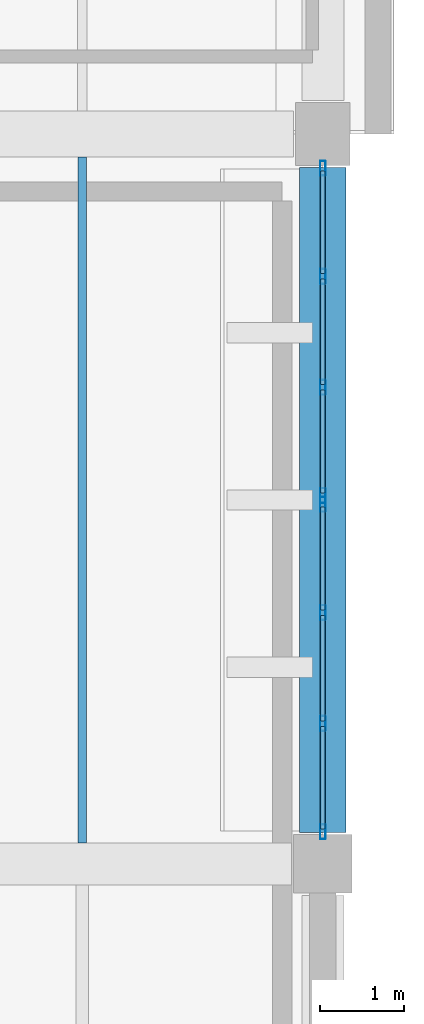
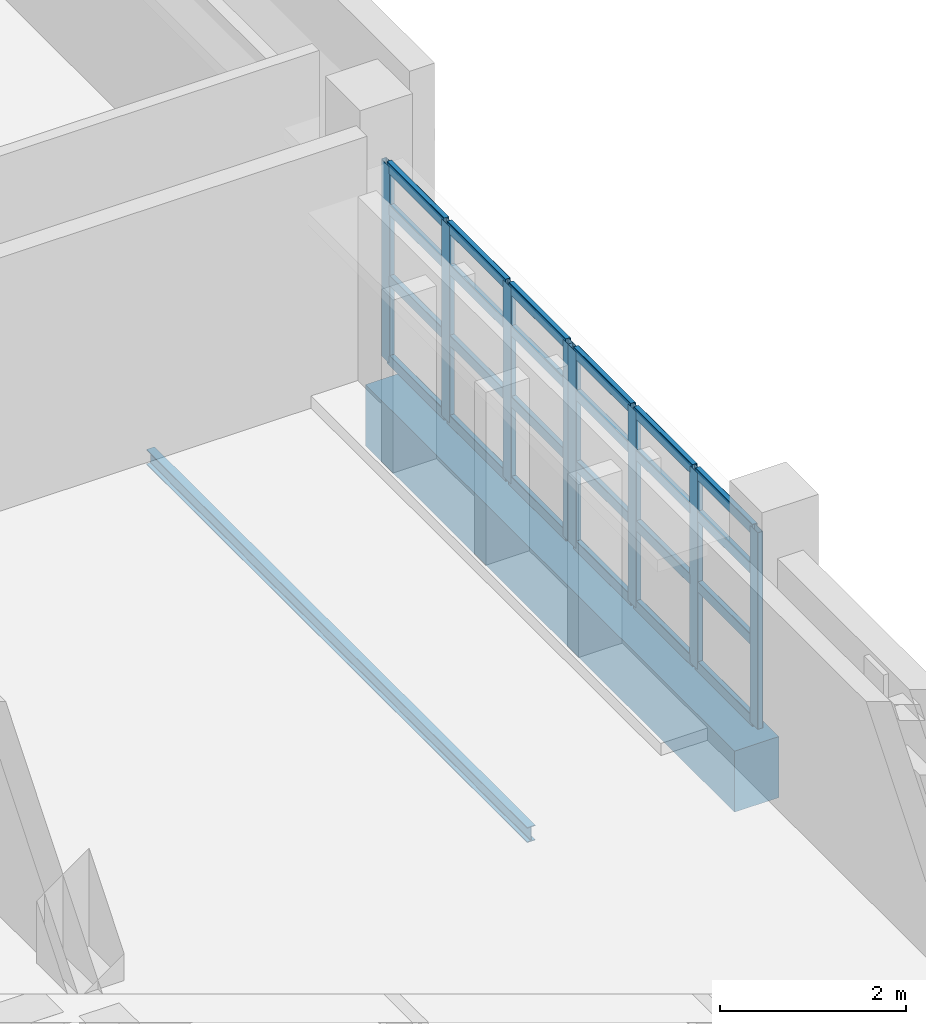
# One storey, part 42 of 75: 32 members, 2 beams, 2 elements without a shape of their own.
"""IFC4 building model written with IfcOpenShell, lengths in metres."""

import ifcopenshell
import ifcopenshell.guid

model = None  # the IFC model being written
_history = None  # IfcOwnerHistory: only IFC2X3 demands one
_inside = {}  # id of a spatial element -> (the spatial element, [elements in it])
_under = {}  # id of a project, library or spatial element -> (it, [spatial elements below it])
_declared = {}  # id of a project -> (the project, [libraries it declares])
_typed = {}  # id of a type object -> (the type object, [elements of that type])
_made_of = {}  # id of a material, layer set ... -> (it, [elements and type objects made of it])


def new_model(schema):
    """Start an empty IFC model of exactly this schema.

    Asked for "IFC4X3", IfcOpenShell would pick the latest addendum, in which some entities
    have other attributes; the version numbers below select the first issue.
    IFC2X3 requires an IfcOwnerHistory on every rooted entity: one is made here for all.
    """
    global model, _history
    if schema == "IFC4X3":
        model = ifcopenshell.file(schema_version=(4, 3, 0, 0))
    else:
        model = ifcopenshell.file(schema=schema)
    _inside.clear()
    _under.clear()
    _declared.clear()
    _typed.clear()
    _made_of.clear()
    _history = None
    if model.schema == "IFC2X3":
        org = make("IfcOrganization", Name="unknown")
        user = make(
            "IfcPersonAndOrganization",
            ThePerson=make("IfcPerson", FamilyName="unknown"),
            TheOrganization=org,
        )
        app = make(
            "IfcApplication",
            ApplicationDeveloper=org,
            Version="unknown",
            ApplicationFullName="unknown",
            ApplicationIdentifier="unknown",
        )
        _history = make(
            "IfcOwnerHistory",
            OwningUser=user,
            OwningApplication=app,
            ChangeAction="ADDED",
            CreationDate=0,
        )
    return model


def make(cls, **values):
    """One entity of the class cls with the attributes given. An attribute that is None is left unset."""
    return model.create_entity(
        cls, **{name: value for name, value in values.items() if value is not None}
    )


def rooted(cls, **values):
    """An entity with a GlobalId (a new one), such as an element, a storey or a relation."""
    return make(cls, GlobalId=ifcopenshell.guid.new(), OwnerHistory=_history, **values)


def si_unit(unit_type, name, prefix=None):
    """IfcSIUnit, for example si_unit("LENGTHUNIT", "METRE", prefix="MILLI")."""
    return make("IfcSIUnit", UnitType=unit_type, Prefix=prefix, Name=name)


def assignment(units):
    """IfcUnitAssignment: the units of a project."""
    return None if units is None else make("IfcUnitAssignment", Units=units)


def point(xyz):
    """IfcCartesianPoint."""
    return None if xyz is None else make("IfcCartesianPoint", Coordinates=xyz)


def direction(xyz):
    """IfcDirection."""
    return None if xyz is None else make("IfcDirection", DirectionRatios=xyz)


def frame(location, z_axis=None, x_axis=None):
    """IfcAxis2Placement3D, a coordinate frame: its origin and axes. An axis left out is left unset."""
    return make(
        "IfcAxis2Placement3D",
        Location=point(location),
        Axis=direction(z_axis),
        RefDirection=direction(x_axis),
    )


def frame_2d(location, x_axis=None):
    """IfcAxis2Placement2D, a coordinate frame in the plane: its origin and x axis."""
    return make(
        "IfcAxis2Placement2D", Location=point(location), RefDirection=direction(x_axis)
    )


def origin():
    """The frame at (0, 0, 0) with its axes left unset."""
    return frame((0.0, 0.0, 0.0))


def origin_2d():
    """The frame at (0, 0) in the plane with its x axis left unset."""
    return frame_2d((0.0, 0.0))


def place(relative_to, where):
    """IfcLocalPlacement: puts the frame where relative to a parent placement (None: the world)."""
    return make(
        "IfcLocalPlacement", PlacementRelTo=relative_to, RelativePlacement=where
    )


def context(
    kind, dimensions, precision=None, world=None, true_north=None, identifier=None
):
    """IfcGeometricRepresentationContext, for example the 3D "Model" context."""
    return make(
        "IfcGeometricRepresentationContext",
        ContextIdentifier=identifier,
        ContextType=kind,
        CoordinateSpaceDimension=dimensions,
        Precision=precision,
        WorldCoordinateSystem=world,
        TrueNorth=true_north,
    )


def subcontext(parent, identifier, kind, view, scale=None):
    """IfcGeometricRepresentationSubContext, for example "Body" below "Model"."""
    return make(
        "IfcGeometricRepresentationSubContext",
        ContextIdentifier=identifier,
        ContextType=kind,
        ParentContext=parent,
        TargetScale=scale,
        TargetView=view,
    )


def project(units=None, contexts=None):
    """IfcProject with its units and contexts."""
    return rooted(
        "IfcProject",
        Name="project",
        RepresentationContexts=contexts,
        UnitsInContext=assignment(units),
    )


def spatial(cls, under=None, at=None, **own):
    """A site, building, storey or space (cls), placed at a placement, below another one or the project."""
    s = rooted(cls, ObjectPlacement=at, **own)
    if under is not None:
        _under.setdefault(under.id(), (under, []))[1].append(s)
    return s


def profile(cls, at=None, kind="AREA", **sizes):
    """A parametric profile (cls). Its sizes go by their IFC names, for example OverallWidth=200.0."""
    return make(cls, ProfileType=kind, Position=at, **sizes)


def rectangle(**sizes):
    """IfcRectangleProfileDef."""
    return profile("IfcRectangleProfileDef", **sizes)


def hollow_rectangle(**sizes):
    """IfcRectangleHollowProfileDef."""
    return profile("IfcRectangleHollowProfileDef", **sizes)


def i_section(**sizes):
    """IfcIShapeProfileDef."""
    return profile("IfcIShapeProfileDef", **sizes)


def extrude(swept, where, along, depth):
    """IfcExtrudedAreaSolid: the profile swept, set in the frame where, extruded along a direction by depth."""
    return make(
        "IfcExtrudedAreaSolid",
        SweptArea=swept,
        Position=where,
        ExtrudedDirection=direction(along),
        Depth=depth,
    )


def shape(context_of_items, identifier, shape_type, items):
    """IfcShapeRepresentation: the items that make up one representation, for example the "Body"."""
    return make(
        "IfcShapeRepresentation",
        ContextOfItems=context_of_items,
        RepresentationIdentifier=identifier,
        RepresentationType=shape_type,
        Items=items,
    )


def material(Name=None, Category=None):
    """IfcMaterial."""
    return make("IfcMaterial", Name=Name, Category=Category)


def material_profile(
    of_material, cross_section, Name=None, Category=None, Priority=None
):
    """IfcMaterialProfile: a cross section and its material."""
    return make(
        "IfcMaterialProfile",
        Name=Name,
        Material=of_material,
        Profile=cross_section,
        Priority=Priority,
        Category=Category,
    )


def profile_set(profiles, Name=None, composite=None):
    """IfcMaterialProfileSet."""
    return make(
        "IfcMaterialProfileSet",
        Name=Name,
        MaterialProfiles=profiles,
        CompositeProfile=composite,
    )


def made_of(thing, what):
    """Note that an element or type object is made of a material, layer set ...; save() writes the relation."""
    if what is not None:
        _made_of.setdefault(what.id(), (what, []))[1].append(thing)
    return thing


def type_object(cls, material=None, **own):
    """A type object (cls), such as IfcWallType, which elements share."""
    return made_of(rooted(cls, **own), material)


def element(
    cls,
    number,
    at=None,
    inside=None,
    cuts=None,
    type_object=None,
    material=None,
    context=None,
    identifier="Body",
    shape_type=None,
    held_by="IfcProductDefinitionShape",
    body=None,
    shapes=None,
    **own,
):
    """One element of the class cls, such as IfcWall. Its Tag is "e" and its number.

    at: its placement. inside: the storey or other place that contains it. cuts: it is an
    opening in that element (IfcRelVoidsElement). A single representation is given by context,
    identifier, shape_type and body (its items); several are given by shapes. held_by: the class
    of the entity that holds the representations. save() writes the other relations.
    """
    e = rooted(cls, Tag="e%d" % number, ObjectPlacement=at, **own)
    if body is not None:
        shapes = [shape(context, identifier, shape_type, body)]
    if shapes is not None:
        e.Representation = make(held_by, Representations=shapes)
    if inside is not None:
        _inside.setdefault(inside.id(), (inside, []))[1].append(e)
    if cuts is not None:
        rooted(
            "IfcRelVoidsElement", RelatingBuildingElement=cuts, RelatedOpeningElement=e
        )
    if type_object is not None:
        _typed.setdefault(type_object.id(), (type_object, []))[1].append(e)
    return made_of(e, material)


def aggregate(whole, parts):
    """IfcRelAggregates: a whole, such as a stair, and the parts it consists of."""
    return rooted("IfcRelAggregates", RelatingObject=whole, RelatedObjects=parts)


def save(model, path):
    """Write the relations noted so far, then the file.

    IfcRelAggregates (storeys below a building ...), IfcRelContainedInSpatialStructure (elements
    in a storey), IfcRelDefinesByType, IfcRelAssociatesMaterial and IfcRelDeclares: one each for
    every whole, place, type object, material and project.
    """
    for whole, parts in _under.values():
        aggregate(whole, parts)
    for where, things in _inside.values():
        rooted(
            "IfcRelContainedInSpatialStructure",
            RelatedElements=things,
            RelatingStructure=where,
        )
    for kind, things in _typed.values():
        rooted("IfcRelDefinesByType", RelatedObjects=things, RelatingType=kind)
    for what, things in _made_of.values():
        rooted("IfcRelAssociatesMaterial", RelatedObjects=things, RelatingMaterial=what)
    for by, libraries in _declared.values():
        rooted("IfcRelDeclares", RelatingContext=by, RelatedDefinitions=libraries)
    model.write(path)


model = new_model("IFC4")

# Units and contexts
model_context = context("Model", 3, precision=1e-05, world=origin(), true_north=direction((0.0, 1.0)))
body_context = subcontext(model_context, "Body", "Model", "MODEL_VIEW")
ifc_project = project(units=[si_unit("LENGTHUNIT", "METRE"), si_unit("AREAUNIT", "SQUARE_METRE"), si_unit("VOLUMEUNIT", "CUBIC_METRE"), si_unit("PLANEANGLEUNIT", "RADIAN"), si_unit("MASSUNIT", "GRAM", prefix="KILO")], contexts=[model_context])

# Site, building, storey
site_placement = place(None, origin())
site = spatial("IfcSite", under=ifc_project, at=site_placement, CompositionType="ELEMENT")
building_placement = place(site_placement, origin())
building = spatial("IfcBuilding", under=site, at=building_placement, Name="Varnakota Cinema and Media Centre", CompositionType="ELEMENT")
storey_placement = place(building_placement, frame((0.0, 0.0, 8.39990234375)))
storey = spatial("IfcBuildingStorey", under=building, at=storey_placement, Name="L02", CompositionType="ELEMENT", Elevation=8.39990234375)

# Beams
ifc_material_1 = material(Name="Concrete M35", Category="concrete")
ifc_material_profile_1 = material_profile(ifc_material_1, rectangle(XDim=0.550048828125, YDim=0.800048828125, at=origin_2d()), Name="RCB 550x800")
ifc_profile_set_1 = profile_set([ifc_material_profile_1], Name="Concrete M35")
beam_type_1 = type_object("IfcBeamType", Name="BM-RC-550x800", PredefinedType="BEAM", material=ifc_profile_set_1)
beam_1_placement = place(storey_placement, frame((34.39990234375, 69.875, -0.64990234375), z_axis=(0.0, 1.0, 0.0), x_axis=(-1.0, 0.0, 0.0)))
element("IfcBeam", 1, at=beam_1_placement, inside=storey, type_object=beam_type_1, Name="L02 girder E/9-10", PredefinedType="BEAM", context=body_context, shape_type="SweptSolid", body=[
    extrude(rectangle(XDim=0.550048828125, YDim=0.800048828125, at=origin_2d()), origin(), (0.0, 0.0, 1.0), 7.925048828125),
])
ifc_material_2 = material(Name="Structural steel Grade 350 (E350)", Category="steel")
ifc_material_profile_2 = material_profile(ifc_material_2, i_section(OverallWidth=0.10009765625, OverallDepth=0.199951171875, WebThickness=0.005615234375, FlangeThickness=0.0107421875, FilletRadius=0.010986328125, at=origin_2d()), Name="ISMB 200")
ifc_profile_set_2 = profile_set([ifc_material_profile_2], Name="Structural steel Grade 350 (E350)")
beam_type_2 = type_object("IfcBeamType", Name="BM-ST-ISMB200", PredefinedType="JOIST", material=ifc_profile_set_2)
beam_2_placement = place(storey_placement, frame((31.533203125, 69.75, -0.349853515625), z_axis=(0.0, 1.0, 0.0), x_axis=(-1.0, 0.0, 0.0)))
element("IfcBeam", 2, at=beam_2_placement, inside=storey, type_object=beam_type_2, Name="L02 steel joist D-E/9-10 #2", PredefinedType="JOIST", context=body_context, shape_type="SweptSolid", body=[
    extrude(i_section(OverallWidth=0.10009765625, OverallDepth=0.199951171875, WebThickness=0.005615234375, FlangeThickness=0.0107421875, FilletRadius=0.010986328125, at=origin_2d()), origin(), (0.0, 0.0, 1.0), 8.175048828125),
])

# Curtain wall, members
ifc_material_3 = material(Name="Thermally broken anodised aluminium AW-6063", Category="aluminium")
curtain_wall_type = type_object("IfcCurtainWallType", Name="CW-STD-397x258", PredefinedType="USERDEFINED", material=ifc_material_3)
curtain_wall_1_placement = place(storey_placement, origin())
curtain_wall_1 = element("IfcCurtainWall", 3, at=curtain_wall_1_placement, inside=storey, type_object=curtain_wall_type, Name="L02 curtain wall CW-L02-V5-E-05-1", ObjectType="UNITISED CURTAIN WALL", PredefinedType="USERDEFINED")
ifc_material_4 = material(Name="Thermally broken anodised aluminium AW-6063", Category="aluminium")
ifc_material_profile_3 = material_profile(ifc_material_4, hollow_rectangle(XDim=0.06494140625, YDim=0.179931640625, WallThickness=0.00390625, InnerFilletRadius=0.00390625, OuterFilletRadius=0.008056640625, at=origin_2d()), Name="AL-MULLION 180x65x4")
ifc_profile_set_3 = profile_set([ifc_material_profile_3], Name="Thermally broken anodised aluminium AW-6063")
member_type_1 = type_object("IfcMemberType", Name="CWM-AL-180", PredefinedType="MULLION", material=ifc_profile_set_3)
member_1_placement = place(storey_placement, frame((34.39990234375, 69.882568359375, 0.0), z_axis=(0.0, 0.0, 1.0), x_axis=(-1.0, 0.0, 0.0)))
member_1 = element("IfcMember", 4, at=member_1_placement, type_object=member_type_1, Name="CW38 mullion 1", PredefinedType="MULLION", context=body_context, shape_type="SweptSolid", body=[
    extrude(hollow_rectangle(XDim=0.06494140625, YDim=0.179931640625, WallThickness=0.00390625, InnerFilletRadius=0.00390625, OuterFilletRadius=0.008056640625, at=origin_2d()), origin(), (0.0, 0.0, 1.0), 2.5751953125),
])
member_2_placement = place(storey_placement, frame((34.39990234375, 71.172607421875, 0.0), z_axis=(0.0, 0.0, 1.0), x_axis=(-1.0, 0.0, 0.0)))
member_2 = element("IfcMember", 5, at=member_2_placement, type_object=member_type_1, Name="CW38 mullion 2", PredefinedType="MULLION", context=body_context, shape_type="SweptSolid", body=[
    extrude(hollow_rectangle(XDim=0.06494140625, YDim=0.179931640625, WallThickness=0.00390625, InnerFilletRadius=0.00390625, OuterFilletRadius=0.008056640625, at=origin_2d()), origin(), (0.0, 0.0, 1.0), 2.5751953125),
])
member_3_placement = place(storey_placement, frame((34.39990234375, 72.4951171875, 0.0), z_axis=(0.0, 0.0, 1.0), x_axis=(-1.0, 0.0, 0.0)))
member_3 = element("IfcMember", 6, at=member_3_placement, type_object=member_type_1, Name="CW38 mullion 3", PredefinedType="MULLION", context=body_context, shape_type="SweptSolid", body=[
    extrude(hollow_rectangle(XDim=0.06494140625, YDim=0.179931640625, WallThickness=0.00390625, InnerFilletRadius=0.00390625, OuterFilletRadius=0.008056640625, at=origin_2d()), origin(), (0.0, 0.0, 1.0), 2.5751953125),
])
member_4_placement = place(storey_placement, frame((34.39990234375, 73.784912109375, 0.0), z_axis=(0.0, 0.0, 1.0), x_axis=(-1.0, 0.0, 0.0)))
member_4 = element("IfcMember", 7, at=member_4_placement, type_object=member_type_1, Name="CW38 mullion 4", PredefinedType="MULLION", context=body_context, shape_type="SweptSolid", body=[
    extrude(hollow_rectangle(XDim=0.06494140625, YDim=0.179931640625, WallThickness=0.00390625, InnerFilletRadius=0.00390625, OuterFilletRadius=0.008056640625, at=origin_2d()), origin(), (0.0, 0.0, 1.0), 2.5751953125),
])

curtain_wall_2_placement = place(storey_placement, origin())
curtain_wall_2 = element("IfcCurtainWall", 8, at=curtain_wall_2_placement, inside=storey, type_object=curtain_wall_type, Name="L02 curtain wall CW-L02-V5-E-05-2", ObjectType="UNITISED CURTAIN WALL", PredefinedType="USERDEFINED")
member_5_placement = place(storey_placement, frame((34.39990234375, 73.889892578125, 0.0), z_axis=(0.0, 0.0, 1.0), x_axis=(-1.0, 0.0, 0.0)))
member_5 = element("IfcMember", 9, at=member_5_placement, type_object=member_type_1, Name="CW38 mullion 1", PredefinedType="MULLION", context=body_context, shape_type="SweptSolid", body=[
    extrude(hollow_rectangle(XDim=0.06494140625, YDim=0.179931640625, WallThickness=0.00390625, InnerFilletRadius=0.00390625, OuterFilletRadius=0.008056640625, at=origin_2d()), origin(), (0.0, 0.0, 1.0), 2.5751953125),
])
member_6_placement = place(storey_placement, frame((34.39990234375, 75.179931640625, 0.0), z_axis=(0.0, 0.0, 1.0), x_axis=(-1.0, 0.0, 0.0)))
member_6 = element("IfcMember", 10, at=member_6_placement, type_object=member_type_1, Name="CW38 mullion 2", PredefinedType="MULLION", context=body_context, shape_type="SweptSolid", body=[
    extrude(hollow_rectangle(XDim=0.06494140625, YDim=0.179931640625, WallThickness=0.00390625, InnerFilletRadius=0.00390625, OuterFilletRadius=0.008056640625, at=origin_2d()), origin(), (0.0, 0.0, 1.0), 2.5751953125),
])
member_7_placement = place(storey_placement, frame((34.39990234375, 76.50244140625, 0.0), z_axis=(0.0, 0.0, 1.0), x_axis=(-1.0, 0.0, 0.0)))
member_7 = element("IfcMember", 11, at=member_7_placement, type_object=member_type_1, Name="CW38 mullion 3", PredefinedType="MULLION", context=body_context, shape_type="SweptSolid", body=[
    extrude(hollow_rectangle(XDim=0.06494140625, YDim=0.179931640625, WallThickness=0.00390625, InnerFilletRadius=0.00390625, OuterFilletRadius=0.008056640625, at=origin_2d()), origin(), (0.0, 0.0, 1.0), 2.5751953125),
])
member_8_placement = place(storey_placement, frame((34.39990234375, 77.79248046875, 0.0), z_axis=(0.0, 0.0, 1.0), x_axis=(-1.0, 0.0, 0.0)))
member_8 = element("IfcMember", 12, at=member_8_placement, type_object=member_type_1, Name="CW38 mullion 4", PredefinedType="MULLION", context=body_context, shape_type="SweptSolid", body=[
    extrude(hollow_rectangle(XDim=0.06494140625, YDim=0.179931640625, WallThickness=0.00390625, InnerFilletRadius=0.00390625, OuterFilletRadius=0.008056640625, at=origin_2d()), origin(), (0.0, 0.0, 1.0), 2.5751953125),
])

# Member
ifc_material_5 = material(Name="Thermally broken anodised aluminium AW-6063", Category="aluminium")
ifc_material_profile_4 = material_profile(ifc_material_5, hollow_rectangle(XDim=0.06494140625, YDim=0.139892578125, WallThickness=0.00390625, InnerFilletRadius=0.00390625, OuterFilletRadius=0.008056640625, at=origin_2d()), Name="AL-TRANSOM 140x65x4")
ifc_profile_set_4 = profile_set([ifc_material_profile_4], Name="Thermally broken anodised aluminium AW-6063")
member_type_2 = type_object("IfcMemberType", Name="CWT-AL-140", PredefinedType="USERDEFINED", material=ifc_profile_set_4)
member_9_placement = place(storey_placement, frame((34.39990234375, 69.9150390625, 0.03271484375), z_axis=(0.0, 1.0, 0.0), x_axis=(-1.0, 0.0, 0.0)))
member_9 = element("IfcMember", 13, at=member_9_placement, type_object=member_type_2, Name="CW38 transom 1.1", ObjectType="TRANSOM", PredefinedType="USERDEFINED", context=body_context, shape_type="SweptSolid", body=[
    extrude(hollow_rectangle(XDim=0.06494140625, YDim=0.139892578125, WallThickness=0.00390625, InnerFilletRadius=0.00390625, OuterFilletRadius=0.008056640625, at=origin_2d()), origin(), (0.0, 0.0, 1.0), 1.224853515625),
])

member_10_placement = place(storey_placement, frame((34.39990234375, 69.9150390625, 1.08154296875), z_axis=(0.0, 1.0, 0.0), x_axis=(-1.0, 0.0, 0.0)))
member_10 = element("IfcMember", 14, at=member_10_placement, type_object=member_type_2, Name="CW38 transom 1.2", ObjectType="TRANSOM", PredefinedType="USERDEFINED", context=body_context, shape_type="SweptSolid", body=[
    extrude(hollow_rectangle(XDim=0.06494140625, YDim=0.139892578125, WallThickness=0.00390625, InnerFilletRadius=0.00390625, OuterFilletRadius=0.008056640625, at=origin_2d()), origin(), (0.0, 0.0, 1.0), 1.224853515625),
])

member_11_placement = place(storey_placement, frame((34.39990234375, 69.9150390625, 2.008544921875), z_axis=(0.0, 1.0, 0.0), x_axis=(-1.0, 0.0, 0.0)))
member_11 = element("IfcMember", 15, at=member_11_placement, type_object=member_type_2, Name="CW38 transom 1.3", ObjectType="TRANSOM", PredefinedType="USERDEFINED", context=body_context, shape_type="SweptSolid", body=[
    extrude(hollow_rectangle(XDim=0.06494140625, YDim=0.139892578125, WallThickness=0.00390625, InnerFilletRadius=0.00390625, OuterFilletRadius=0.008056640625, at=origin_2d()), origin(), (0.0, 0.0, 1.0), 1.224853515625),
])

member_12_placement = place(storey_placement, frame((34.39990234375, 69.9150390625, 2.54248046875), z_axis=(0.0, 1.0, 0.0), x_axis=(-1.0, 0.0, 0.0)))
member_12 = element("IfcMember", 16, at=member_12_placement, type_object=member_type_2, Name="CW38 transom 1.4", ObjectType="TRANSOM", PredefinedType="USERDEFINED", context=body_context, shape_type="SweptSolid", body=[
    extrude(hollow_rectangle(XDim=0.06494140625, YDim=0.139892578125, WallThickness=0.00390625, InnerFilletRadius=0.00390625, OuterFilletRadius=0.008056640625, at=origin_2d()), origin(), (0.0, 0.0, 1.0), 1.224853515625),
])

member_13_placement = place(storey_placement, frame((34.39990234375, 71.205078125, 0.03271484375), z_axis=(0.0, 1.0, 0.0), x_axis=(-1.0, 0.0, 0.0)))
member_13 = element("IfcMember", 17, at=member_13_placement, type_object=member_type_2, Name="CW38 transom 2.1", ObjectType="TRANSOM", PredefinedType="USERDEFINED", context=body_context, shape_type="SweptSolid", body=[
    extrude(hollow_rectangle(XDim=0.06494140625, YDim=0.139892578125, WallThickness=0.00390625, InnerFilletRadius=0.00390625, OuterFilletRadius=0.008056640625, at=origin_2d()), origin(), (0.0, 0.0, 1.0), 1.25732421875),
])

member_14_placement = place(storey_placement, frame((34.39990234375, 71.205078125, 1.08154296875), z_axis=(0.0, 1.0, 0.0), x_axis=(-1.0, 0.0, 0.0)))
member_14 = element("IfcMember", 18, at=member_14_placement, type_object=member_type_2, Name="CW38 transom 2.2", ObjectType="TRANSOM", PredefinedType="USERDEFINED", context=body_context, shape_type="SweptSolid", body=[
    extrude(hollow_rectangle(XDim=0.06494140625, YDim=0.139892578125, WallThickness=0.00390625, InnerFilletRadius=0.00390625, OuterFilletRadius=0.008056640625, at=origin_2d()), origin(), (0.0, 0.0, 1.0), 1.25732421875),
])

member_15_placement = place(storey_placement, frame((34.39990234375, 71.205078125, 2.008544921875), z_axis=(0.0, 1.0, 0.0), x_axis=(-1.0, 0.0, 0.0)))
member_15 = element("IfcMember", 19, at=member_15_placement, type_object=member_type_2, Name="CW38 transom 2.3", ObjectType="TRANSOM", PredefinedType="USERDEFINED", context=body_context, shape_type="SweptSolid", body=[
    extrude(hollow_rectangle(XDim=0.06494140625, YDim=0.139892578125, WallThickness=0.00390625, InnerFilletRadius=0.00390625, OuterFilletRadius=0.008056640625, at=origin_2d()), origin(), (0.0, 0.0, 1.0), 1.25732421875),
])

member_16_placement = place(storey_placement, frame((34.39990234375, 71.205078125, 2.54248046875), z_axis=(0.0, 1.0, 0.0), x_axis=(-1.0, 0.0, 0.0)))
member_16 = element("IfcMember", 20, at=member_16_placement, type_object=member_type_2, Name="CW38 transom 2.4", ObjectType="TRANSOM", PredefinedType="USERDEFINED", context=body_context, shape_type="SweptSolid", body=[
    extrude(hollow_rectangle(XDim=0.06494140625, YDim=0.139892578125, WallThickness=0.00390625, InnerFilletRadius=0.00390625, OuterFilletRadius=0.008056640625, at=origin_2d()), origin(), (0.0, 0.0, 1.0), 1.25732421875),
])

member_17_placement = place(storey_placement, frame((34.39990234375, 72.527587890625, 0.03271484375), z_axis=(0.0, 1.0, 0.0), x_axis=(-1.0, 0.0, 0.0)))
member_17 = element("IfcMember", 21, at=member_17_placement, type_object=member_type_2, Name="CW38 transom 3.1", ObjectType="TRANSOM", PredefinedType="USERDEFINED", context=body_context, shape_type="SweptSolid", body=[
    extrude(hollow_rectangle(XDim=0.06494140625, YDim=0.139892578125, WallThickness=0.00390625, InnerFilletRadius=0.00390625, OuterFilletRadius=0.008056640625, at=origin_2d()), origin(), (0.0, 0.0, 1.0), 1.224853515625),
])

member_18_placement = place(storey_placement, frame((34.39990234375, 72.527587890625, 1.08154296875), z_axis=(0.0, 1.0, 0.0), x_axis=(-1.0, 0.0, 0.0)))
member_18 = element("IfcMember", 22, at=member_18_placement, type_object=member_type_2, Name="CW38 transom 3.2", ObjectType="TRANSOM", PredefinedType="USERDEFINED", context=body_context, shape_type="SweptSolid", body=[
    extrude(hollow_rectangle(XDim=0.06494140625, YDim=0.139892578125, WallThickness=0.00390625, InnerFilletRadius=0.00390625, OuterFilletRadius=0.008056640625, at=origin_2d()), origin(), (0.0, 0.0, 1.0), 1.224853515625),
])

member_19_placement = place(storey_placement, frame((34.39990234375, 72.527587890625, 2.008544921875), z_axis=(0.0, 1.0, 0.0), x_axis=(-1.0, 0.0, 0.0)))
member_19 = element("IfcMember", 23, at=member_19_placement, type_object=member_type_2, Name="CW38 transom 3.3", ObjectType="TRANSOM", PredefinedType="USERDEFINED", context=body_context, shape_type="SweptSolid", body=[
    extrude(hollow_rectangle(XDim=0.06494140625, YDim=0.139892578125, WallThickness=0.00390625, InnerFilletRadius=0.00390625, OuterFilletRadius=0.008056640625, at=origin_2d()), origin(), (0.0, 0.0, 1.0), 1.224853515625),
])

member_20_placement = place(storey_placement, frame((34.39990234375, 72.527587890625, 2.54248046875), z_axis=(0.0, 1.0, 0.0), x_axis=(-1.0, 0.0, 0.0)))
member_20 = element("IfcMember", 24, at=member_20_placement, type_object=member_type_2, Name="CW38 transom 3.4", ObjectType="TRANSOM", PredefinedType="USERDEFINED", context=body_context, shape_type="SweptSolid", body=[
    extrude(hollow_rectangle(XDim=0.06494140625, YDim=0.139892578125, WallThickness=0.00390625, InnerFilletRadius=0.00390625, OuterFilletRadius=0.008056640625, at=origin_2d()), origin(), (0.0, 0.0, 1.0), 1.224853515625),
])

aggregate(curtain_wall_1, [member_1, member_2, member_3, member_4, member_9, member_10, member_11, member_12, member_13, member_14, member_15, member_16, member_17, member_18, member_19, member_20])

member_21_placement = place(storey_placement, frame((34.39990234375, 73.922607421875, 0.03271484375), z_axis=(0.0, 1.0, 0.0), x_axis=(-1.0, 0.0, 0.0)))
member_21 = element("IfcMember", 25, at=member_21_placement, type_object=member_type_2, Name="CW38 transom 1.1", ObjectType="TRANSOM", PredefinedType="USERDEFINED", context=body_context, shape_type="SweptSolid", body=[
    extrude(hollow_rectangle(XDim=0.06494140625, YDim=0.139892578125, WallThickness=0.00390625, InnerFilletRadius=0.00390625, OuterFilletRadius=0.008056640625, at=origin_2d()), origin(), (0.0, 0.0, 1.0), 1.224853515625),
])

member_22_placement = place(storey_placement, frame((34.39990234375, 73.922607421875, 1.08154296875), z_axis=(0.0, 1.0, 0.0), x_axis=(-1.0, 0.0, 0.0)))
member_22 = element("IfcMember", 26, at=member_22_placement, type_object=member_type_2, Name="CW38 transom 1.2", ObjectType="TRANSOM", PredefinedType="USERDEFINED", context=body_context, shape_type="SweptSolid", body=[
    extrude(hollow_rectangle(XDim=0.06494140625, YDim=0.139892578125, WallThickness=0.00390625, InnerFilletRadius=0.00390625, OuterFilletRadius=0.008056640625, at=origin_2d()), origin(), (0.0, 0.0, 1.0), 1.224853515625),
])

member_23_placement = place(storey_placement, frame((34.39990234375, 73.922607421875, 2.008544921875), z_axis=(0.0, 1.0, 0.0), x_axis=(-1.0, 0.0, 0.0)))
member_23 = element("IfcMember", 27, at=member_23_placement, type_object=member_type_2, Name="CW38 transom 1.3", ObjectType="TRANSOM", PredefinedType="USERDEFINED", context=body_context, shape_type="SweptSolid", body=[
    extrude(hollow_rectangle(XDim=0.06494140625, YDim=0.139892578125, WallThickness=0.00390625, InnerFilletRadius=0.00390625, OuterFilletRadius=0.008056640625, at=origin_2d()), origin(), (0.0, 0.0, 1.0), 1.224853515625),
])

member_24_placement = place(storey_placement, frame((34.39990234375, 73.922607421875, 2.54248046875), z_axis=(0.0, 1.0, 0.0), x_axis=(-1.0, 0.0, 0.0)))
member_24 = element("IfcMember", 28, at=member_24_placement, type_object=member_type_2, Name="CW38 transom 1.4", ObjectType="TRANSOM", PredefinedType="USERDEFINED", context=body_context, shape_type="SweptSolid", body=[
    extrude(hollow_rectangle(XDim=0.06494140625, YDim=0.139892578125, WallThickness=0.00390625, InnerFilletRadius=0.00390625, OuterFilletRadius=0.008056640625, at=origin_2d()), origin(), (0.0, 0.0, 1.0), 1.224853515625),
])

member_25_placement = place(storey_placement, frame((34.39990234375, 75.21240234375, 0.03271484375), z_axis=(0.0, 1.0, 0.0), x_axis=(-1.0, 0.0, 0.0)))
member_25 = element("IfcMember", 29, at=member_25_placement, type_object=member_type_2, Name="CW38 transom 2.1", ObjectType="TRANSOM", PredefinedType="USERDEFINED", context=body_context, shape_type="SweptSolid", body=[
    extrude(hollow_rectangle(XDim=0.06494140625, YDim=0.139892578125, WallThickness=0.00390625, InnerFilletRadius=0.00390625, OuterFilletRadius=0.008056640625, at=origin_2d()), origin(), (0.0, 0.0, 1.0), 1.257568359375),
])

member_26_placement = place(storey_placement, frame((34.39990234375, 75.21240234375, 1.08154296875), z_axis=(0.0, 1.0, 0.0), x_axis=(-1.0, 0.0, 0.0)))
member_26 = element("IfcMember", 30, at=member_26_placement, type_object=member_type_2, Name="CW38 transom 2.2", ObjectType="TRANSOM", PredefinedType="USERDEFINED", context=body_context, shape_type="SweptSolid", body=[
    extrude(hollow_rectangle(XDim=0.06494140625, YDim=0.139892578125, WallThickness=0.00390625, InnerFilletRadius=0.00390625, OuterFilletRadius=0.008056640625, at=origin_2d()), origin(), (0.0, 0.0, 1.0), 1.257568359375),
])

member_27_placement = place(storey_placement, frame((34.39990234375, 75.21240234375, 2.008544921875), z_axis=(0.0, 1.0, 0.0), x_axis=(-1.0, 0.0, 0.0)))
member_27 = element("IfcMember", 31, at=member_27_placement, type_object=member_type_2, Name="CW38 transom 2.3", ObjectType="TRANSOM", PredefinedType="USERDEFINED", context=body_context, shape_type="SweptSolid", body=[
    extrude(hollow_rectangle(XDim=0.06494140625, YDim=0.139892578125, WallThickness=0.00390625, InnerFilletRadius=0.00390625, OuterFilletRadius=0.008056640625, at=origin_2d()), origin(), (0.0, 0.0, 1.0), 1.257568359375),
])

member_28_placement = place(storey_placement, frame((34.39990234375, 75.21240234375, 2.54248046875), z_axis=(0.0, 1.0, 0.0), x_axis=(-1.0, 0.0, 0.0)))
member_28 = element("IfcMember", 32, at=member_28_placement, type_object=member_type_2, Name="CW38 transom 2.4", ObjectType="TRANSOM", PredefinedType="USERDEFINED", context=body_context, shape_type="SweptSolid", body=[
    extrude(hollow_rectangle(XDim=0.06494140625, YDim=0.139892578125, WallThickness=0.00390625, InnerFilletRadius=0.00390625, OuterFilletRadius=0.008056640625, at=origin_2d()), origin(), (0.0, 0.0, 1.0), 1.257568359375),
])

member_29_placement = place(storey_placement, frame((34.39990234375, 76.534912109375, 0.03271484375), z_axis=(0.0, 1.0, 0.0), x_axis=(-1.0, 0.0, 0.0)))
member_29 = element("IfcMember", 33, at=member_29_placement, type_object=member_type_2, Name="CW38 transom 3.1", ObjectType="TRANSOM", PredefinedType="USERDEFINED", context=body_context, shape_type="SweptSolid", body=[
    extrude(hollow_rectangle(XDim=0.06494140625, YDim=0.139892578125, WallThickness=0.00390625, InnerFilletRadius=0.00390625, OuterFilletRadius=0.008056640625, at=origin_2d()), origin(), (0.0, 0.0, 1.0), 1.22509765625),
])

member_30_placement = place(storey_placement, frame((34.39990234375, 76.534912109375, 1.08154296875), z_axis=(0.0, 1.0, 0.0), x_axis=(-1.0, 0.0, 0.0)))
member_30 = element("IfcMember", 34, at=member_30_placement, type_object=member_type_2, Name="CW38 transom 3.2", ObjectType="TRANSOM", PredefinedType="USERDEFINED", context=body_context, shape_type="SweptSolid", body=[
    extrude(hollow_rectangle(XDim=0.06494140625, YDim=0.139892578125, WallThickness=0.00390625, InnerFilletRadius=0.00390625, OuterFilletRadius=0.008056640625, at=origin_2d()), origin(), (0.0, 0.0, 1.0), 1.22509765625),
])

member_31_placement = place(storey_placement, frame((34.39990234375, 76.534912109375, 2.008544921875), z_axis=(0.0, 1.0, 0.0), x_axis=(-1.0, 0.0, 0.0)))
member_31 = element("IfcMember", 35, at=member_31_placement, type_object=member_type_2, Name="CW38 transom 3.3", ObjectType="TRANSOM", PredefinedType="USERDEFINED", context=body_context, shape_type="SweptSolid", body=[
    extrude(hollow_rectangle(XDim=0.06494140625, YDim=0.139892578125, WallThickness=0.00390625, InnerFilletRadius=0.00390625, OuterFilletRadius=0.008056640625, at=origin_2d()), origin(), (0.0, 0.0, 1.0), 1.22509765625),
])

member_32_placement = place(storey_placement, frame((34.39990234375, 76.534912109375, 2.54248046875), z_axis=(0.0, 1.0, 0.0), x_axis=(-1.0, 0.0, 0.0)))
member_32 = element("IfcMember", 36, at=member_32_placement, type_object=member_type_2, Name="CW38 transom 3.4", ObjectType="TRANSOM", PredefinedType="USERDEFINED", context=body_context, shape_type="SweptSolid", body=[
    extrude(hollow_rectangle(XDim=0.06494140625, YDim=0.139892578125, WallThickness=0.00390625, InnerFilletRadius=0.00390625, OuterFilletRadius=0.008056640625, at=origin_2d()), origin(), (0.0, 0.0, 1.0), 1.22509765625),
])

aggregate(curtain_wall_2, [member_5, member_6, member_7, member_8, member_21, member_22, member_23, member_24, member_25, member_26, member_27, member_28, member_29, member_30, member_31, member_32])

save(model, "model.ifc")
